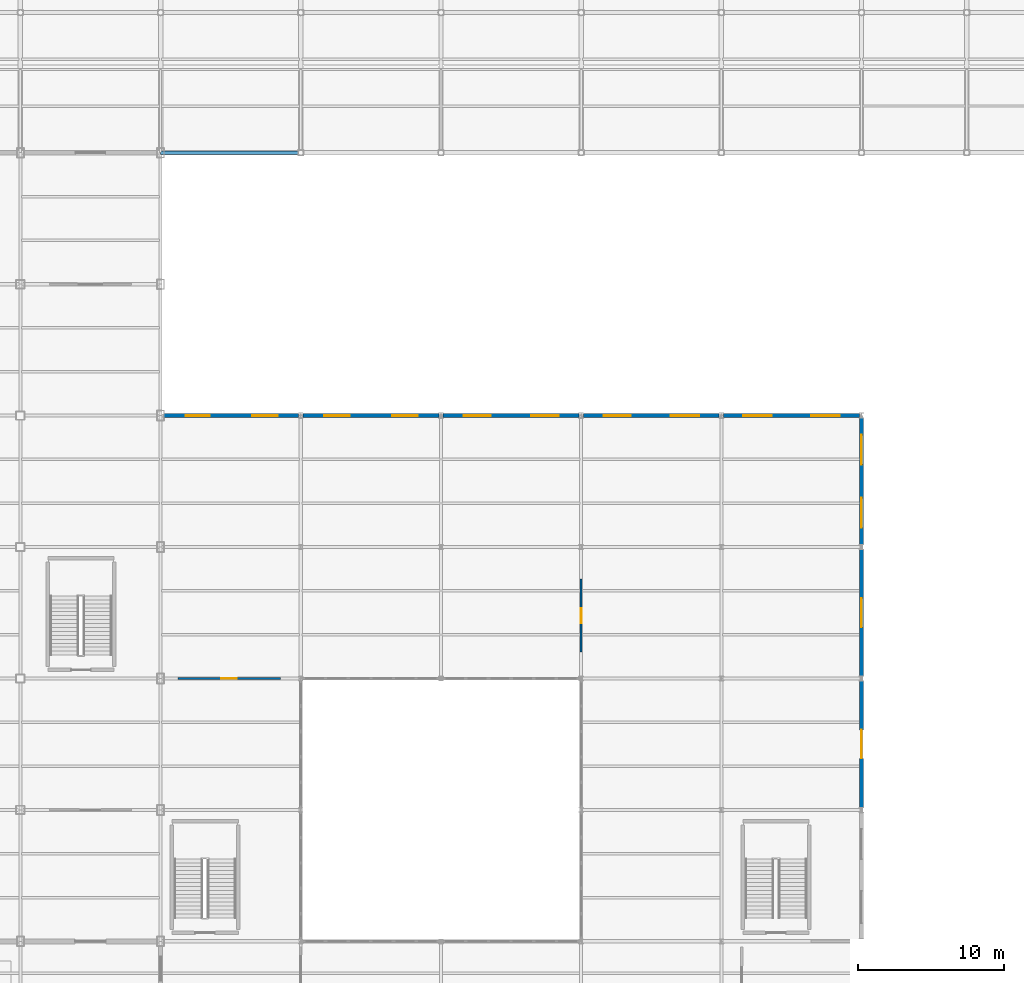
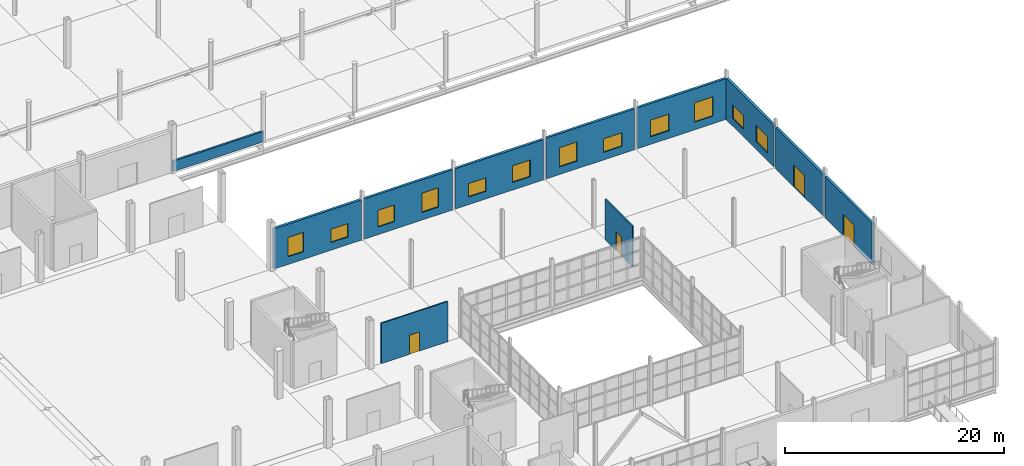
# One storey, part 72 of 85: 12 windows, 11 walls, 4 doors, 16 openings.
"""IFC4 building model written with IfcOpenShell, lengths in metres."""

from ifc_helpers import new_model, si_unit, direction, frame, frame_2d, origin, place, context, subcontext, project, spatial, rectangle, extrude, material, layer, layer_set, type_object, element, fill, save


model = new_model("IFC4")

# Units and contexts
model_context = context("Model", 3, precision=1e-05, world=origin(), true_north=direction((0.0, 1.0)))
body_context = subcontext(model_context, "Body", "Model", "MODEL_VIEW")
ifc_project = project(units=[si_unit("LENGTHUNIT", "METRE"), si_unit("AREAUNIT", "SQUARE_METRE"), si_unit("VOLUMEUNIT", "CUBIC_METRE"), si_unit("PLANEANGLEUNIT", "RADIAN"), si_unit("MASSUNIT", "GRAM", prefix="KILO")], contexts=[model_context])

# Site, building, storey
site_placement = place(None, origin())
site = spatial("IfcSite", under=ifc_project, at=site_placement, CompositionType="ELEMENT")
building_placement = place(site_placement, origin())
building = spatial("IfcBuilding", under=site, at=building_placement, Name="Zarnetskaya Central Station", CompositionType="ELEMENT")
storey_placement = place(building_placement, origin())
storey = spatial("IfcBuildingStorey", under=building, at=storey_placement, Name="L00", CompositionType="ELEMENT", Elevation=0.0)

# Wall, opening, door
ifc_material_1 = material(Name="Gypsum acoustic partition")
ifc_layer_1 = layer(ifc_material_1, 0.14501953125, Name="Gypsum acoustic partition")
ifc_layer_set_1 = layer_set([ifc_layer_1], Name="Gypsum acoustic partition")
wall_type_1 = type_object("IfcWallType", Name="PART-HALL-145", PredefinedType="PARTITIONING", material=ifc_layer_set_1)
wall_1_placement = place(storey_placement, frame((153.60009765625, 33.0, 0.0), z_axis=(0.0, 0.0, 1.0), x_axis=(0.0, 1.0, 0.0)))
wall_1 = element("IfcWall", 1, at=wall_1_placement, inside=storey, type_object=wall_type_1, Name="Interior partition IPRT-L00-0397", PredefinedType="PARTITIONING", context=body_context, shape_type="SweptSolid", body=[
    extrude(rectangle(XDim=5.0, YDim=0.14501953125, at=frame_2d((2.5, 0.0))), origin(), (0.0, 0.0, 1.0), 4.5400390625),
])
opening_1_placement = place(wall_1_placement, frame((1.989990234375, 0.0, 0.0)))
opening_1 = element("IfcOpeningElement", 2, at=opening_1_placement, cuts=wall_1, Name="Opening DR-18", PredefinedType="OPENING", context=body_context, shape_type="SweptSolid", body=[
    extrude(rectangle(XDim=1.02001953125, YDim=2.139892578125, at=frame_2d((0.510009765625, 1.06982421875))), frame((0.0, 0.08251953125, 0.0), z_axis=(0.0, -1.0, 0.0), x_axis=(1.0, 0.0, 0.0)), (0.0, 0.0, 1.0), 0.1650390625),
])
ifc_material_2 = material(Name="Anodised aluminium", Category="aluminium")
door_type_1 = type_object("IfcDoorType", Name="DR-INT-21", OperationType="NOTDEFINED", PredefinedType="DOOR", material=ifc_material_2)
door_1_placement = place(opening_1_placement, origin())
door_1 = element("IfcDoor", 3, at=door_1_placement, inside=storey, type_object=door_type_1, Name="Forecourt Station Bakery and Espresso Bar door", OperationType="SINGLE_SWING_LEFT", OverallHeight=2.139892578125, OverallWidth=1.02001953125, PredefinedType="DOOR", context=body_context, shape_type="SweptSolid", body=[
    extrude(rectangle(XDim=1.02001953125, YDim=2.139892578125, at=frame_2d((0.510009765625, 1.06982421875))), frame((0.0, 0.02490234375, 0.0), z_axis=(0.0, -1.0, 0.0), x_axis=(1.0, 0.0, 0.0)), (0.0, 0.0, 1.0), 0.050048828125),
])
fill(opening_1, door_1)

ifc_layer_2 = layer(ifc_material_1, 0.1298828125, Name="Gypsum acoustic partition")
ifc_layer_set_2 = layer_set([ifc_layer_2], Name="Gypsum acoustic partition")
wall_type_2 = type_object("IfcWallType", Name="PART-OFF-130", PredefinedType="PARTITIONING", material=ifc_layer_set_2)
wall_2_placement = place(storey_placement, frame((133.0, 31.199951171875, 0.0), z_axis=(0.0, 0.0, 1.0), x_axis=(-1.0, 0.0, 0.0)))
wall_2 = element("IfcWall", 4, at=wall_2_placement, inside=storey, type_object=wall_type_2, Name="Interior partition IPRT-L00-0398", PredefinedType="PARTITIONING", context=body_context, shape_type="SweptSolid", body=[
    extrude(rectangle(XDim=7.0, YDim=0.1298828125, at=frame_2d((3.5, 0.0))), origin(), (0.0, 0.0, 1.0), 4.489990234375),
])
opening_2_placement = place(wall_2_placement, frame((2.969970703125, 0.0, 0.0)))
opening_2 = element("IfcOpeningElement", 5, at=opening_2_placement, cuts=wall_2, Name="Opening DR-03", PredefinedType="OPENING", context=body_context, shape_type="SweptSolid", body=[
    extrude(rectangle(XDim=1.06005859375, YDim=2.139892578125, at=frame_2d((0.530029296875, 1.06982421875))), frame((0.0, 0.074951171875, 0.0), z_axis=(0.0, -1.0, 0.0), x_axis=(1.0, 0.0, 0.0)), (0.0, 0.0, 1.0), 0.14990234375),
])
door_type_2 = type_object("IfcDoorType", Name="DR-INT-22", OperationType="NOTDEFINED", PredefinedType="DOOR", material=ifc_material_2)
door_2_placement = place(opening_2_placement, origin())
door_2 = element("IfcDoor", 6, at=door_2_placement, inside=storey, type_object=door_type_2, Name="Courtyard Passenger Cafe door", OperationType="SINGLE_SWING_RIGHT", OverallHeight=2.139892578125, OverallWidth=1.06005859375, PredefinedType="DOOR", context=body_context, shape_type="SweptSolid", body=[
    extrude(rectangle(XDim=1.06005859375, YDim=2.139892578125, at=frame_2d((0.530029296875, 1.06982421875))), frame((0.0, 0.02490234375, 0.0), z_axis=(0.0, -1.0, 0.0), x_axis=(1.0, 0.0, 0.0)), (0.0, 0.0, 1.0), 0.050048828125),
])
fill(opening_2, door_2)

# Wall, openings, windows
ifc_material_3 = material(Name="Precast concrete C40/50", Category="concrete")
ifc_layer_3 = layer(ifc_material_3, 0.260009765625, Name="Precast concrete C40/50", Category="concrete")
ifc_layer_set_3 = layer_set([ifc_layer_3], Name="Precast concrete C40/50")
wall_type_3 = type_object("IfcWallType", Name="WALL-PAV-260", PredefinedType="SOLIDWALL", material=ifc_layer_set_3)
wall_3_placement = place(storey_placement, frame((125.050048828125, 49.199951171875, 0.0), z_axis=(0.0, 0.0, 1.0), x_axis=(1.0, 0.0, 0.0)))
wall_3 = element("IfcWall", 7, at=wall_3_placement, inside=storey, type_object=wall_type_3, Name="Exterior precast wall EW-L00-1250-492-1342-492", PredefinedType="SOLIDWALL", context=body_context, shape_type="SweptSolid", body=[
    extrude(rectangle(XDim=9.199951171875, YDim=0.260009765625, at=frame_2d((4.60009765625, 0.0))), origin(), (0.0, 0.0, 1.0), 4.489990234375),
])
opening_3_placement = place(wall_3_placement, frame((1.47509765625, 0.0, 0.85009765625)))
opening_3 = element("IfcOpeningElement", 8, at=opening_3_placement, cuts=wall_3, Name="Opening WN-52", PredefinedType="OPENING", context=body_context, shape_type="SweptSolid", body=[
    extrude(rectangle(XDim=1.64990234375, YDim=2.14990234375, at=frame_2d((0.824951171875, 1.074951171875))), frame((0.0, 0.14013671875, 0.0), z_axis=(0.0, -1.0, 0.0), x_axis=(1.0, 0.0, 0.0)), (0.0, 0.0, 1.0), 0.280029296875),
])
opening_4_placement = place(wall_3_placement, frame((6.02490234375, 0.0, 0.85009765625)))
opening_4 = element("IfcOpeningElement", 9, at=opening_4_placement, cuts=wall_3, Name="Opening WN-10", PredefinedType="OPENING", context=body_context, shape_type="SweptSolid", body=[
    extrude(rectangle(XDim=1.75, YDim=1.5, at=frame_2d((0.875, 0.75))), frame((0.0, 0.14013671875, 0.0), z_axis=(0.0, -1.0, 0.0), x_axis=(1.0, 0.0, 0.0)), (0.0, 0.0, 1.0), 0.280029296875),
])
ifc_material_4 = material(Name="Low-E insulated glass", Category="glass")
window_type_1 = type_object("IfcWindowType", Name="WIN-18", PartitioningType="SINGLE_PANEL", PredefinedType="WINDOW", material=ifc_material_4)
window_1_placement = place(opening_3_placement, origin())
window_1 = element("IfcWindow", 10, at=window_1_placement, inside=storey, type_object=window_type_1, Name="Facade window L00-0126", OverallHeight=2.14990234375, OverallWidth=1.64990234375, PartitioningType="SINGLE_PANEL", PredefinedType="WINDOW", context=body_context, shape_type="SweptSolid", body=[
    extrude(rectangle(XDim=1.64990234375, YDim=2.14990234375, at=frame_2d((0.824951171875, 1.074951171875))), frame((0.0, 0.030029296875, 0.0), z_axis=(0.0, -1.0, 0.0), x_axis=(1.0, 0.0, 0.0)), (0.0, 0.0, 1.0), 0.06005859375),
])
fill(opening_3, window_1)
window_type_2 = type_object("IfcWindowType", Name="WIN-19", PartitioningType="SINGLE_PANEL", PredefinedType="WINDOW", material=ifc_material_4)
window_2_placement = place(opening_4_placement, origin())
window_2 = element("IfcWindow", 11, at=window_2_placement, inside=storey, type_object=window_type_2, Name="Facade window L00-0127", OverallHeight=1.5, OverallWidth=1.75, PartitioningType="SINGLE_PANEL", PredefinedType="WINDOW", context=body_context, shape_type="SweptSolid", body=[
    extrude(rectangle(XDim=1.75, YDim=1.5, at=frame_2d((0.875, 0.75))), frame((0.0, 0.030029296875, 0.0), z_axis=(0.0, -1.0, 0.0), x_axis=(1.0, 0.0, 0.0)), (0.0, 0.0, 1.0), 0.06005859375),
])
fill(opening_4, window_2)

wall_4_placement = place(storey_placement, frame((134.550048828125, 49.199951171875, 0.0), z_axis=(0.0, 0.0, 1.0), x_axis=(1.0, 0.0, 0.0)))
wall_4 = element("IfcWall", 12, at=wall_4_placement, inside=storey, type_object=wall_type_3, Name="Exterior precast wall EW-L00-1346-492-1438-492", PredefinedType="SOLIDWALL", context=body_context, shape_type="SweptSolid", body=[
    extrude(rectangle(XDim=9.300048828125, YDim=0.260009765625, at=frame_2d((4.64990234375, 0.0))), origin(), (0.0, 0.0, 1.0), 4.489990234375),
])
opening_5_placement = place(wall_4_placement, frame((1.449951171875, 0.0, 0.85009765625)))
opening_5 = element("IfcOpeningElement", 13, at=opening_5_placement, cuts=wall_4, Name="Opening WN-06", PredefinedType="OPENING", context=body_context, shape_type="SweptSolid", body=[
    extrude(rectangle(XDim=1.75, YDim=1.85009765625, at=frame_2d((0.875, 0.925048828125))), frame((0.0, 0.14013671875, 0.0), z_axis=(0.0, -1.0, 0.0), x_axis=(1.0, 0.0, 0.0)), (0.0, 0.0, 1.0), 0.280029296875),
])
opening_6_placement = place(wall_4_placement, frame((6.10009765625, 0.0, 0.85009765625)))
opening_6 = element("IfcOpeningElement", 14, at=opening_6_placement, cuts=wall_4, Name="Opening WN-01", PredefinedType="OPENING", context=body_context, shape_type="SweptSolid", body=[
    extrude(rectangle(XDim=1.75, YDim=2.14990234375, at=frame_2d((0.875, 1.074951171875))), frame((0.0, 0.14013671875, 0.0), z_axis=(0.0, -1.0, 0.0), x_axis=(1.0, 0.0, 0.0)), (0.0, 0.0, 1.0), 0.280029296875),
])
window_type_3 = type_object("IfcWindowType", Name="WIN-20", PartitioningType="SINGLE_PANEL", PredefinedType="WINDOW", material=ifc_material_4)
window_3_placement = place(opening_5_placement, origin())
window_3 = element("IfcWindow", 15, at=window_3_placement, inside=storey, type_object=window_type_3, Name="Facade window L00-0128", OverallHeight=1.85009765625, OverallWidth=1.75, PartitioningType="SINGLE_PANEL", PredefinedType="WINDOW", context=body_context, shape_type="SweptSolid", body=[
    extrude(rectangle(XDim=1.75, YDim=1.85009765625, at=frame_2d((0.875, 0.925048828125))), frame((0.0, 0.030029296875, 0.0), z_axis=(0.0, -1.0, 0.0), x_axis=(1.0, 0.0, 0.0)), (0.0, 0.0, 1.0), 0.06005859375),
])
fill(opening_5, window_3)
window_type_4 = type_object("IfcWindowType", Name="WIN-21", PartitioningType="SINGLE_PANEL", PredefinedType="WINDOW", material=ifc_material_4)
window_4_placement = place(opening_6_placement, origin())
window_4 = element("IfcWindow", 16, at=window_4_placement, inside=storey, type_object=window_type_4, Name="Facade window L00-0129", OverallHeight=2.14990234375, OverallWidth=1.75, PartitioningType="SINGLE_PANEL", PredefinedType="WINDOW", context=body_context, shape_type="SweptSolid", body=[
    extrude(rectangle(XDim=1.75, YDim=2.14990234375, at=frame_2d((0.875, 1.074951171875))), frame((0.0, 0.030029296875, 0.0), z_axis=(0.0, -1.0, 0.0), x_axis=(1.0, 0.0, 0.0)), (0.0, 0.0, 1.0), 0.06005859375),
])
fill(opening_6, window_4)

wall_5_placement = place(storey_placement, frame((144.14990234375, 49.199951171875, 0.0), z_axis=(0.0, 0.0, 1.0), x_axis=(1.0, 0.0, 0.0)))
wall_5 = element("IfcWall", 17, at=wall_5_placement, inside=storey, type_object=wall_type_3, Name="Exterior precast wall EW-L00-1442-492-1534-492", PredefinedType="SOLIDWALL", context=body_context, shape_type="SweptSolid", body=[
    extrude(rectangle(XDim=9.300048828125, YDim=0.260009765625, at=frame_2d((4.64990234375, 0.0))), origin(), (0.0, 0.0, 1.0), 4.489990234375),
])
opening_7_placement = place(wall_5_placement, frame((1.39990234375, 0.0, 0.85009765625)))
opening_7 = element("IfcOpeningElement", 18, at=opening_7_placement, cuts=wall_5, Name="Opening WN-13", PredefinedType="OPENING", context=body_context, shape_type="SweptSolid", body=[
    extrude(rectangle(XDim=1.85009765625, YDim=1.5, at=frame_2d((0.925048828125, 0.75))), frame((0.0, 0.14013671875, 0.0), z_axis=(0.0, -1.0, 0.0), x_axis=(1.0, 0.0, 0.0)), (0.0, 0.0, 1.0), 0.280029296875),
])
opening_8_placement = place(wall_5_placement, frame((6.050048828125, 0.0, 0.85009765625)))
opening_8 = element("IfcOpeningElement", 19, at=opening_8_placement, cuts=wall_5, Name="Opening WN-08", PredefinedType="OPENING", context=body_context, shape_type="SweptSolid", body=[
    extrude(rectangle(XDim=1.85009765625, YDim=1.85009765625, at=frame_2d((0.925048828125, 0.925048828125))), frame((0.0, 0.14013671875, 0.0), z_axis=(0.0, -1.0, 0.0), x_axis=(1.0, 0.0, 0.0)), (0.0, 0.0, 1.0), 0.280029296875),
])
window_type_5 = type_object("IfcWindowType", Name="WIN-22", PartitioningType="DOUBLE_PANEL_VERTICAL", PredefinedType="WINDOW", material=ifc_material_4)
window_5_placement = place(opening_7_placement, origin())
window_5 = element("IfcWindow", 20, at=window_5_placement, inside=storey, type_object=window_type_5, Name="Facade window L00-0130", OverallHeight=1.5, OverallWidth=1.85009765625, PartitioningType="SINGLE_PANEL", PredefinedType="WINDOW", context=body_context, shape_type="SweptSolid", body=[
    extrude(rectangle(XDim=1.85009765625, YDim=1.5, at=frame_2d((0.925048828125, 0.75))), frame((0.0, 0.030029296875, 0.0), z_axis=(0.0, -1.0, 0.0), x_axis=(1.0, 0.0, 0.0)), (0.0, 0.0, 1.0), 0.06005859375),
])
fill(opening_7, window_5)
window_type_6 = type_object("IfcWindowType", Name="WIN-23", PartitioningType="DOUBLE_PANEL_VERTICAL", PredefinedType="WINDOW", material=ifc_material_4)
window_6_placement = place(opening_8_placement, origin())
window_6 = element("IfcWindow", 21, at=window_6_placement, inside=storey, type_object=window_type_6, Name="Facade window L00-0131", OverallHeight=1.85009765625, OverallWidth=1.85009765625, PartitioningType="SINGLE_PANEL", PredefinedType="WINDOW", context=body_context, shape_type="SweptSolid", body=[
    extrude(rectangle(XDim=1.85009765625, YDim=1.85009765625, at=frame_2d((0.925048828125, 0.925048828125))), frame((0.0, 0.030029296875, 0.0), z_axis=(0.0, -1.0, 0.0), x_axis=(1.0, 0.0, 0.0)), (0.0, 0.0, 1.0), 0.06005859375),
])
fill(opening_8, window_6)

wall_6_placement = place(storey_placement, frame((153.75, 49.199951171875, 0.0), z_axis=(0.0, 0.0, 1.0), x_axis=(1.0, 0.0, 0.0)))
wall_6 = element("IfcWall", 22, at=wall_6_placement, inside=storey, type_object=wall_type_3, Name="Exterior precast wall EW-L00-1538-492-1630-492", PredefinedType="SOLIDWALL", context=body_context, shape_type="SweptSolid", body=[
    extrude(rectangle(XDim=9.300048828125, YDim=0.260009765625, at=frame_2d((4.64990234375, 0.0))), origin(), (0.0, 0.0, 1.0), 4.550048828125),
])
opening_9_placement = place(wall_6_placement, frame((1.39990234375, 0.0, 0.85009765625)))
opening_9 = element("IfcOpeningElement", 23, at=opening_9_placement, cuts=wall_6, Name="Opening WN-18", PredefinedType="OPENING", context=body_context, shape_type="SweptSolid", body=[
    extrude(rectangle(XDim=1.85009765625, YDim=2.14990234375, at=frame_2d((0.925048828125, 1.074951171875))), frame((0.0, 0.14013671875, 0.0), z_axis=(0.0, -1.0, 0.0), x_axis=(1.0, 0.0, 0.0)), (0.0, 0.0, 1.0), 0.280029296875),
])
opening_10_placement = place(wall_6_placement, frame((6.0, 0.0, 0.85009765625)))
opening_10 = element("IfcOpeningElement", 24, at=opening_10_placement, cuts=wall_6, Name="Opening WN-07", PredefinedType="OPENING", context=body_context, shape_type="SweptSolid", body=[
    extrude(rectangle(XDim=1.949951171875, YDim=1.5, at=frame_2d((0.97509765625, 0.75))), frame((0.0, 0.14013671875, 0.0), z_axis=(0.0, -1.0, 0.0), x_axis=(1.0, 0.0, 0.0)), (0.0, 0.0, 1.0), 0.280029296875),
])
window_type_7 = type_object("IfcWindowType", Name="WIN-24", PartitioningType="DOUBLE_PANEL_VERTICAL", PredefinedType="WINDOW", material=ifc_material_4)
window_7_placement = place(opening_9_placement, origin())
window_7 = element("IfcWindow", 25, at=window_7_placement, inside=storey, type_object=window_type_7, Name="Facade window L00-0132", OverallHeight=2.14990234375, OverallWidth=1.85009765625, PartitioningType="SINGLE_PANEL", PredefinedType="WINDOW", context=body_context, shape_type="SweptSolid", body=[
    extrude(rectangle(XDim=1.85009765625, YDim=2.14990234375, at=frame_2d((0.925048828125, 1.074951171875))), frame((0.0, 0.030029296875, 0.0), z_axis=(0.0, -1.0, 0.0), x_axis=(1.0, 0.0, 0.0)), (0.0, 0.0, 1.0), 0.06005859375),
])
fill(opening_9, window_7)
window_type_8 = type_object("IfcWindowType", Name="WIN-25", PartitioningType="DOUBLE_PANEL_VERTICAL", PredefinedType="WINDOW", material=ifc_material_4)
window_8_placement = place(opening_10_placement, origin())
window_8 = element("IfcWindow", 26, at=window_8_placement, inside=storey, type_object=window_type_8, Name="Facade window L00-0133", OverallHeight=1.5, OverallWidth=1.949951171875, PartitioningType="SINGLE_PANEL", PredefinedType="WINDOW", context=body_context, shape_type="SweptSolid", body=[
    extrude(rectangle(XDim=1.949951171875, YDim=1.5, at=frame_2d((0.97509765625, 0.75))), frame((0.0, 0.030029296875, 0.0), z_axis=(0.0, -1.0, 0.0), x_axis=(1.0, 0.0, 0.0)), (0.0, 0.0, 1.0), 0.06005859375),
])
fill(opening_10, window_8)

wall_7_placement = place(storey_placement, frame((163.35009765625, 49.199951171875, 0.0), z_axis=(0.0, 0.0, 1.0), x_axis=(1.0, 0.0, 0.0)))
wall_7 = element("IfcWall", 27, at=wall_7_placement, inside=storey, type_object=wall_type_3, Name="Exterior precast wall EW-L00-1634-492-1726-492", PredefinedType="SOLIDWALL", context=body_context, shape_type="SweptSolid", body=[
    extrude(rectangle(XDim=9.2998046875, YDim=0.260009765625, at=frame_2d((4.64990234375, 0.0))), origin(), (0.0, 0.0, 1.0), 4.550048828125),
])
opening_11_placement = place(wall_7_placement, frame((1.35009765625, 0.0, 0.85009765625)))
opening_11 = element("IfcOpeningElement", 28, at=opening_11_placement, cuts=wall_7, Name="Opening WN-48", PredefinedType="OPENING", context=body_context, shape_type="SweptSolid", body=[
    extrude(rectangle(XDim=1.949951171875, YDim=1.85009765625, at=frame_2d((0.97509765625, 0.925048828125))), frame((0.0, 0.14013671875, 0.0), z_axis=(0.0, -1.0, 0.0), x_axis=(1.0, 0.0, 0.0)), (0.0, 0.0, 1.0), 0.280029296875),
])
opening_12_placement = place(wall_7_placement, frame((6.0, 0.0, 0.85009765625)))
opening_12 = element("IfcOpeningElement", 29, at=opening_12_placement, cuts=wall_7, Name="Opening WN-11", PredefinedType="OPENING", context=body_context, shape_type="SweptSolid", body=[
    extrude(rectangle(XDim=1.949951171875, YDim=2.14990234375, at=frame_2d((0.97509765625, 1.074951171875))), frame((0.0, 0.14013671875, 0.0), z_axis=(0.0, -1.0, 0.0), x_axis=(1.0, 0.0, 0.0)), (0.0, 0.0, 1.0), 0.280029296875),
])
window_type_9 = type_object("IfcWindowType", Name="WIN-26", PartitioningType="DOUBLE_PANEL_VERTICAL", PredefinedType="WINDOW", material=ifc_material_4)
window_9_placement = place(opening_11_placement, origin())
window_9 = element("IfcWindow", 30, at=window_9_placement, inside=storey, type_object=window_type_9, Name="Facade window L00-0134", OverallHeight=1.85009765625, OverallWidth=1.949951171875, PartitioningType="SINGLE_PANEL", PredefinedType="WINDOW", context=body_context, shape_type="SweptSolid", body=[
    extrude(rectangle(XDim=1.949951171875, YDim=1.85009765625, at=frame_2d((0.97509765625, 0.925048828125))), frame((0.0, 0.030029296875, 0.0), z_axis=(0.0, -1.0, 0.0), x_axis=(1.0, 0.0, 0.0)), (0.0, 0.0, 1.0), 0.06005859375),
])
fill(opening_11, window_9)
window_type_10 = type_object("IfcWindowType", Name="WIN-27", PartitioningType="DOUBLE_PANEL_VERTICAL", PredefinedType="WINDOW", material=ifc_material_4)
window_10_placement = place(opening_12_placement, origin())
window_10 = element("IfcWindow", 31, at=window_10_placement, inside=storey, type_object=window_type_10, Name="Facade window L00-0135", OverallHeight=2.14990234375, OverallWidth=1.949951171875, PartitioningType="SINGLE_PANEL", PredefinedType="WINDOW", context=body_context, shape_type="SweptSolid", body=[
    extrude(rectangle(XDim=1.949951171875, YDim=2.14990234375, at=frame_2d((0.97509765625, 1.074951171875))), frame((0.0, 0.030029296875, 0.0), z_axis=(0.0, -1.0, 0.0), x_axis=(1.0, 0.0, 0.0)), (0.0, 0.0, 1.0), 0.06005859375),
])
fill(opening_12, window_10)

wall_8_placement = place(storey_placement, frame((172.800048828125, 49.02001953125, 0.0), z_axis=(0.0, 0.0, 1.0), x_axis=(0.0, -1.0, 0.0)))
wall_8 = element("IfcWall", 32, at=wall_8_placement, inside=storey, type_object=wall_type_3, Name="Exterior precast wall EW-L00-1728-490-1728-404", PredefinedType="SOLIDWALL", context=body_context, shape_type="SweptSolid", body=[
    extrude(rectangle(XDim=8.64013671875, YDim=0.260009765625, at=frame_2d((4.320068359375, 0.0))), origin(), (0.0, 0.0, 1.0), 4.60009765625),
])
opening_13_placement = place(wall_8_placement, frame((1.135009765625, 0.0, 0.85009765625)))
opening_13 = element("IfcOpeningElement", 33, at=opening_13_placement, cuts=wall_8, Name="Opening WN-28", PredefinedType="OPENING", context=body_context, shape_type="SweptSolid", body=[
    extrude(rectangle(XDim=2.050048828125, YDim=1.5, at=frame_2d((1.02490234375, 0.75))), frame((0.0, 0.14013671875, 0.0), z_axis=(0.0, -1.0, 0.0), x_axis=(1.0, 0.0, 0.0)), (0.0, 0.0, 1.0), 0.280029296875),
])
opening_14_placement = place(wall_8_placement, frame((5.455078125, 0.0, 0.85009765625)))
opening_14 = element("IfcOpeningElement", 34, at=opening_14_placement, cuts=wall_8, Name="Opening WN-37", PredefinedType="OPENING", context=body_context, shape_type="SweptSolid", body=[
    extrude(rectangle(XDim=2.050048828125, YDim=1.85009765625, at=frame_2d((1.02490234375, 0.925048828125))), frame((0.0, 0.14013671875, 0.0), z_axis=(0.0, -1.0, 0.0), x_axis=(1.0, 0.0, 0.0)), (0.0, 0.0, 1.0), 0.280029296875),
])
window_type_11 = type_object("IfcWindowType", Name="WIN-28", PartitioningType="DOUBLE_PANEL_VERTICAL", PredefinedType="WINDOW", material=ifc_material_4)
window_11_placement = place(opening_13_placement, origin())
window_11 = element("IfcWindow", 35, at=window_11_placement, inside=storey, type_object=window_type_11, Name="Facade window L00-0136", OverallHeight=1.5, OverallWidth=2.050048828125, PartitioningType="SINGLE_PANEL", PredefinedType="WINDOW", context=body_context, shape_type="SweptSolid", body=[
    extrude(rectangle(XDim=2.050048828125, YDim=1.5, at=frame_2d((1.02490234375, 0.75))), frame((0.0, 0.030029296875, 0.0), z_axis=(0.0, -1.0, 0.0), x_axis=(1.0, 0.0, 0.0)), (0.0, 0.0, 1.0), 0.06005859375),
])
fill(opening_13, window_11)
window_type_12 = type_object("IfcWindowType", Name="WIN-29", PartitioningType="DOUBLE_PANEL_VERTICAL", PredefinedType="WINDOW", material=ifc_material_4)
window_12_placement = place(opening_14_placement, origin())
window_12 = element("IfcWindow", 36, at=window_12_placement, inside=storey, type_object=window_type_12, Name="Facade window L00-0137", OverallHeight=1.85009765625, OverallWidth=2.050048828125, PartitioningType="SINGLE_PANEL", PredefinedType="WINDOW", context=body_context, shape_type="SweptSolid", body=[
    extrude(rectangle(XDim=2.050048828125, YDim=1.85009765625, at=frame_2d((1.02490234375, 0.925048828125))), frame((0.0, 0.030029296875, 0.0), z_axis=(0.0, -1.0, 0.0), x_axis=(1.0, 0.0, 0.0)), (0.0, 0.0, 1.0), 0.06005859375),
])
fill(opening_14, window_12)

# Wall, opening, door
wall_9_placement = place(storey_placement, frame((172.800048828125, 40.02001953125, 0.0), z_axis=(0.0, 0.0, 1.0), x_axis=(0.0, -1.0, 0.0)))
wall_9 = element("IfcWall", 37, at=wall_9_placement, inside=storey, type_object=wall_type_3, Name="Exterior precast wall EW-L00-1728-400-1728-314", PredefinedType="SOLIDWALL", context=body_context, shape_type="SweptSolid", body=[
    extrude(rectangle(XDim=8.64013671875, YDim=0.260009765625, at=frame_2d((4.320068359375, 0.0))), origin(), (0.0, 0.0, 1.0), 4.60009765625),
])
opening_15_placement = place(wall_9_placement, frame((3.320068359375, 0.0, 0.0)))
opening_15 = element("IfcOpeningElement", 38, at=opening_15_placement, cuts=wall_9, Name="Opening ED-03", PredefinedType="OPENING", context=body_context, shape_type="SweptSolid", body=[
    extrude(rectangle(XDim=2.0, YDim=2.449951171875, at=frame_2d((1.0, 1.22509765625))), frame((0.0, 0.14013671875, 0.0), z_axis=(0.0, -1.0, 0.0), x_axis=(1.0, 0.0, 0.0)), (0.0, 0.0, 1.0), 0.280029296875),
])
door_type_3 = type_object("IfcDoorType", Name="DR-EXT-200x245", OperationType="NOTDEFINED", PredefinedType="DOOR", material=ifc_material_2)
door_3_placement = place(opening_15_placement, origin())
door_3 = element("IfcDoor", 39, at=door_3_placement, inside=storey, type_object=door_type_3, Name="Pedestrian final exit door ED-21", OperationType="DOUBLE_DOOR_SINGLE_SWING", OverallHeight=2.449951171875, OverallWidth=2.0, PredefinedType="DOOR", context=body_context, shape_type="SweptSolid", body=[
    extrude(rectangle(XDim=2.0, YDim=2.449951171875, at=frame_2d((1.0, 1.22509765625))), frame((0.0, 0.02490234375, 0.0), z_axis=(0.0, -1.0, 0.0), x_axis=(1.0, 0.0, 0.0)), (0.0, 0.0, 1.0), 0.050048828125),
])
fill(opening_15, door_3)

wall_10_placement = place(storey_placement, frame((172.800048828125, 31.02001953125, 0.0), z_axis=(0.0, 0.0, 1.0), x_axis=(0.0, -1.0, 0.0)))
wall_10 = element("IfcWall", 40, at=wall_10_placement, inside=storey, type_object=wall_type_3, Name="Exterior precast wall EW-L00-1728-310-1728-224", PredefinedType="SOLIDWALL", context=body_context, shape_type="SweptSolid", body=[
    extrude(rectangle(XDim=8.64013671875, YDim=0.260009765625, at=frame_2d((4.320068359375, 0.0))), origin(), (0.0, 0.0, 1.0), 4.60009765625),
])
opening_16_placement = place(wall_10_placement, frame((3.344970703125, 0.0, 0.0)))
opening_16 = element("IfcOpeningElement", 41, at=opening_16_placement, cuts=wall_10, Name="Opening ED-08", PredefinedType="OPENING", context=body_context, shape_type="SweptSolid", body=[
    extrude(rectangle(XDim=1.949951171875, YDim=2.39990234375, at=frame_2d((0.97509765625, 1.199951171875))), frame((0.0, 0.14013671875, 0.0), z_axis=(0.0, -1.0, 0.0), x_axis=(1.0, 0.0, 0.0)), (0.0, 0.0, 1.0), 0.280029296875),
])
door_type_4 = type_object("IfcDoorType", Name="DR-EXT-195x240", OperationType="NOTDEFINED", PredefinedType="DOOR", material=ifc_material_2)
door_4_placement = place(opening_16_placement, origin())
door_4 = element("IfcDoor", 42, at=door_4_placement, inside=storey, type_object=door_type_4, Name="Pedestrian final exit door ED-22", OperationType="DOUBLE_DOOR_SINGLE_SWING", OverallHeight=2.39990234375, OverallWidth=1.949951171875, PredefinedType="DOOR", context=body_context, shape_type="SweptSolid", body=[
    extrude(rectangle(XDim=1.949951171875, YDim=2.39990234375, at=frame_2d((0.97509765625, 1.199951171875))), frame((0.0, 0.02490234375, 0.0), z_axis=(0.0, -1.0, 0.0), x_axis=(1.0, 0.0, 0.0)), (0.0, 0.0, 1.0), 0.050048828125),
])
fill(opening_16, door_4)

# Wall
ifc_layer_4 = layer(ifc_material_3, 0.2099609375, Name="Precast concrete C40/50", Category="concrete")
ifc_layer_set_4 = layer_set([ifc_layer_4], Name="Precast concrete C40/50")
wall_type_4 = type_object("IfcWallType", Name="WALL-PRP-210", PredefinedType="PARAPET", material=ifc_layer_set_4)
wall_11_placement = place(storey_placement, frame((124.800048828125, 67.199951171875, 0.0), z_axis=(0.0, 0.0, 1.0), x_axis=(1.0, 0.0, 0.0)))
element("IfcWall", 43, at=wall_11_placement, inside=storey, type_object=wall_type_4, Name="Platform 1 south edge parapet PQ", PredefinedType="PARAPET", context=body_context, shape_type="SweptSolid", body=[
    extrude(rectangle(XDim=9.599853515625, YDim=0.2099609375, at=frame_2d((4.7998046875, 0.0))), origin(), (0.0, 0.0, 1.0), 1.14990234375),
])

save(model, "model.ifc")
